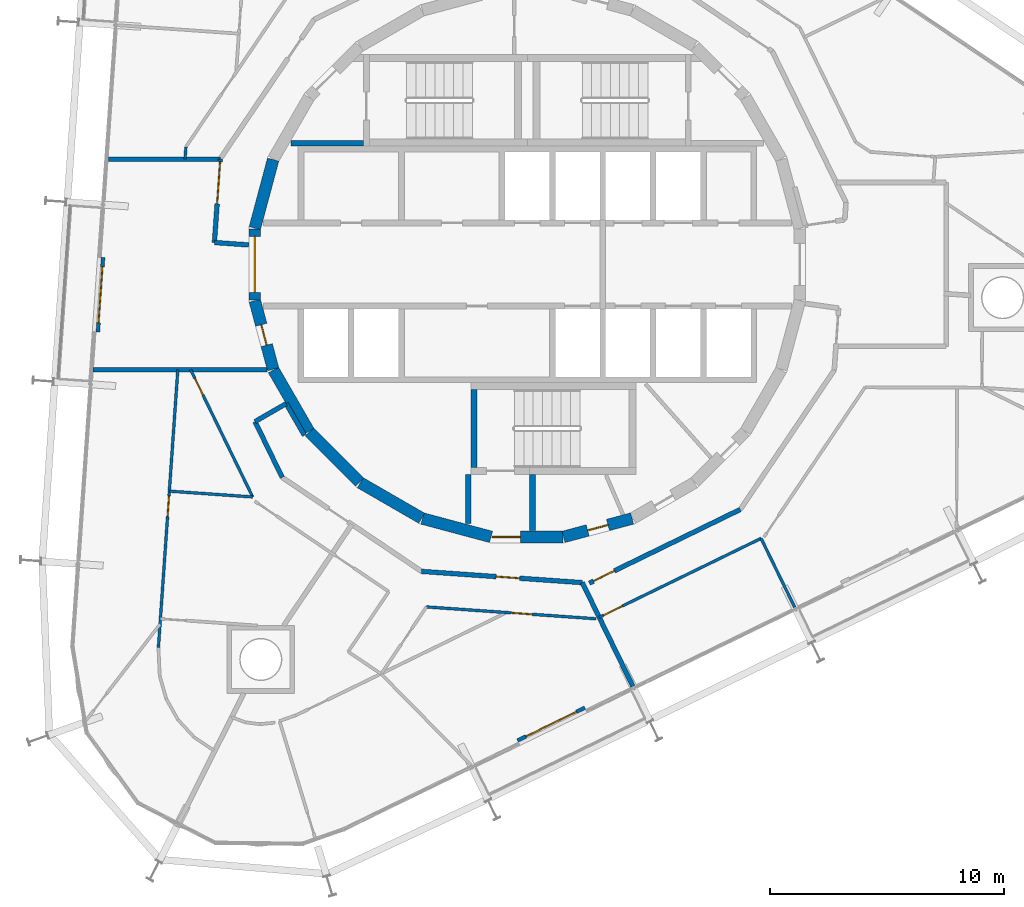
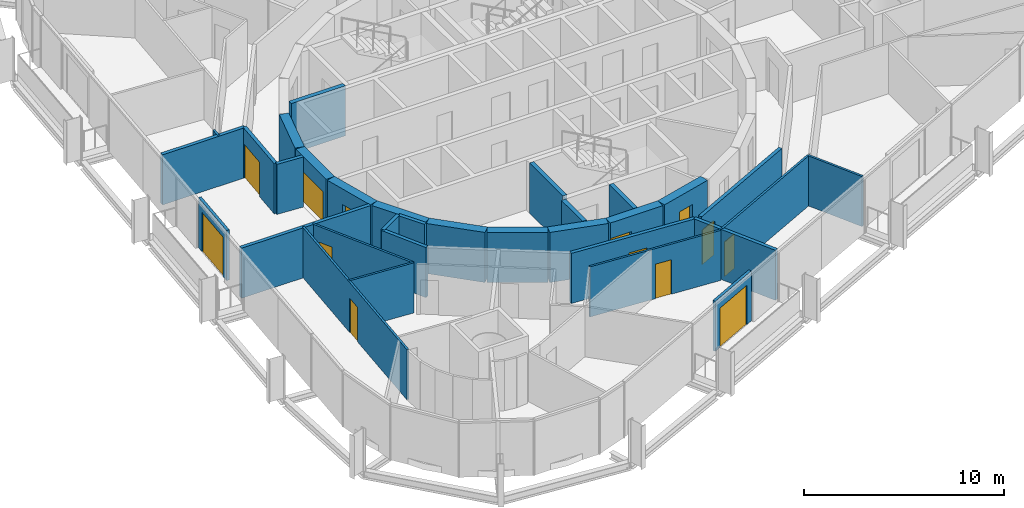
# One storey, part 12 of 17: 32 walls, 13 doors, 13 openings.
"""IFC4 building model written with IfcOpenShell, lengths in metres."""

from ifc_helpers import new_model, si_unit, direction, frame, frame_2d, origin, place, context, subcontext, project, spatial, rectangle, extrude, material, layer, layer_set, type_object, element, fill, save


model = new_model("IFC4")

# Units and contexts
model_context = context("Model", 3, precision=1e-05, world=origin(), true_north=direction((0.0, 1.0)))
body_context = subcontext(model_context, "Body", "Model", "MODEL_VIEW")
ifc_project = project(units=[si_unit("LENGTHUNIT", "METRE"), si_unit("AREAUNIT", "SQUARE_METRE"), si_unit("VOLUMEUNIT", "CUBIC_METRE"), si_unit("PLANEANGLEUNIT", "RADIAN"), si_unit("MASSUNIT", "GRAM", prefix="KILO")], contexts=[model_context])

# Site, building, storey
site_placement = place(None, origin())
site = spatial("IfcSite", under=ifc_project, at=site_placement, CompositionType="ELEMENT")
building_placement = place(site_placement, origin())
building = spatial("IfcBuilding", under=site, at=building_placement, Name="Spindle Arch Residences", CompositionType="ELEMENT")
storey_placement = place(building_placement, frame((0.0, 0.0, 216.39990234375)))
storey = spatial("IfcBuildingStorey", under=building, at=storey_placement, Name="L55", CompositionType="ELEMENT", Elevation=216.39990234375)

# Wall, opening, door
ifc_material_1 = material(Name="Concrete C50/60", Category="concrete")
ifc_layer_1 = layer(ifc_material_1, 0.5)
ifc_layer_set_1 = layer_set([ifc_layer_1], Name="Core outline wall 500")
wall_type_1 = type_object("IfcWallType", Name="Core outline wall 500", PredefinedType="SHEAR", material=ifc_layer_set_1)
wall_1_placement = place(storey_placement, frame((1.5498046875, -11.642822265625, 0.0), z_axis=(0.0, 0.0, 1.0), x_axis=(0.965948410781, 0.258734743916, 0.0)))
wall_1 = element("IfcWall", 1, at=wall_1_placement, inside=storey, type_object=wall_type_1, Name="Core outline wall 1", PredefinedType="SHEAR", context=body_context, shape_type="SweptSolid", body=[
    extrude(rectangle(XDim=3.03271484375, YDim=0.5, at=frame_2d((1.516357421875, 0.0))), origin(), (0.0, 0.0, 1.0), 3.050048828125),
])
opening_1_placement = place(wall_1_placement, frame((1.06640625, 0.0, 0.0)))
opening_1 = element("IfcOpeningElement", 2, at=opening_1_placement, cuts=wall_1, Name="Opening R5C0-WD07", PredefinedType="OPENING", context=body_context, shape_type="SweptSolid", body=[
    extrude(rectangle(XDim=0.89990234375, YDim=2.10009765625, at=frame_2d((0.449951171875, 1.050048828125))), frame((0.0, 0.260009765625, 0.0), z_axis=(0.0, -1.0, 0.0), x_axis=(1.0, 0.0, 0.0)), (0.0, 0.0, 1.0), 0.52001953125),
])
ifc_material_2 = material(Name="Steel, fire-resisting door", Category="steel")
door_type_1 = type_object("IfcDoorType", Name="Service room door 900x2100", OperationType="SINGLE_SWING_LEFT", PredefinedType="DOOR", material=ifc_material_2)
door_1_placement = place(opening_1_placement, origin())
door_1 = element("IfcDoor", 3, at=door_1_placement, inside=storey, type_object=door_type_1, Name="Service room door R5C0-WD07", OperationType="SINGLE_SWING_LEFT", OverallHeight=2.10009765625, OverallWidth=0.89990234375, PredefinedType="DOOR", context=body_context, shape_type="SweptSolid", body=[
    extrude(rectangle(XDim=0.89990234375, YDim=2.10009765625, at=frame_2d((0.449951171875, 1.050048828125))), frame((0.0, 0.02490234375, 0.0), z_axis=(0.0, -1.0, 0.0), x_axis=(1.0, 0.0, 0.0)), (0.0, 0.0, 1.0), 0.050048828125),
])
fill(opening_1, door_1)

# Wall
wall_2_placement = place(storey_placement, frame((-10.858154296875, 4.479248046875, 0.0), z_axis=(0.0, 0.0, 1.0), x_axis=(-0.258734743916, -0.965948410781, 0.0)))
element("IfcWall", 4, at=wall_2_placement, inside=storey, type_object=wall_type_1, Name="Core outline wall 17", PredefinedType="SHEAR", context=body_context, shape_type="SweptSolid", body=[
    extrude(rectangle(XDim=3.03271484375, YDim=0.5, at=frame_2d((1.516357421875, 0.0))), origin(), (0.0, 0.0, 1.0), 3.050048828125),
])

# Wall, opening, door
wall_3_placement = place(storey_placement, frame((-11.647216796875, 1.516357421875, 0.0), z_axis=(0.0, 0.0, 1.0), x_axis=(0.0, -1.0, 0.0)))
wall_3 = element("IfcWall", 5, at=wall_3_placement, inside=storey, type_object=wall_type_1, Name="Core outline wall 18", PredefinedType="SHEAR", context=body_context, shape_type="SweptSolid", body=[
    extrude(rectangle(XDim=3.03271484375, YDim=0.5, at=frame_2d((1.516357421875, 0.0))), origin(), (0.0, 0.0, 1.0), 3.050048828125),
])
opening_2_placement = place(wall_3_placement, frame((0.31640625, 0.0, 0.0)))
opening_2 = element("IfcOpeningElement", 6, at=opening_2_placement, cuts=wall_3, Name="Opening R5C0-LE01", PredefinedType="OPENING", context=body_context, shape_type="SweptSolid", body=[
    extrude(rectangle(XDim=2.39990234375, YDim=2.10009765625, at=frame_2d((1.199951171875, 1.050048828125))), frame((0.0, 0.260009765625, 0.0), z_axis=(0.0, -1.0, 0.0), x_axis=(1.0, 0.0, 0.0)), (0.0, 0.0, 1.0), 0.52001953125),
])
ifc_material_3 = material(Name="Steel, fire-resisting door", Category="steel")
door_type_2 = type_object("IfcDoorType", Name="Lift lobby entrance door 2400x2100", OperationType="DOUBLE_DOOR_SINGLE_SWING", PredefinedType="DOOR", material=ifc_material_3)
door_2_placement = place(opening_2_placement, origin())
door_2 = element("IfcDoor", 7, at=door_2_placement, inside=storey, type_object=door_type_2, Name="Lift lobby entrance door R5C0-LE01", OperationType="DOUBLE_DOOR_SINGLE_SWING", OverallHeight=2.10009765625, OverallWidth=2.39990234375, PredefinedType="DOOR", context=body_context, shape_type="SweptSolid", body=[
    extrude(rectangle(XDim=2.39990234375, YDim=2.10009765625, at=frame_2d((1.199951171875, 1.050048828125))), frame((0.0, 0.02490234375, 0.0), z_axis=(0.0, -1.0, 0.0), x_axis=(1.0, 0.0, 0.0)), (0.0, 0.0, 1.0), 0.050048828125),
])
fill(opening_2, door_2)

wall_4_placement = place(storey_placement, frame((-11.642822265625, -1.5498046875, 0.0), z_axis=(0.0, 0.0, 1.0), x_axis=(0.258734743916, -0.965948410781, 0.0)))
wall_4 = element("IfcWall", 8, at=wall_4_placement, inside=storey, type_object=wall_type_1, Name="Core outline wall 19", PredefinedType="SHEAR", context=body_context, shape_type="SweptSolid", body=[
    extrude(rectangle(XDim=3.03271484375, YDim=0.5, at=frame_2d((1.516357421875, 0.0))), origin(), (0.0, 0.0, 1.0), 3.050048828125),
])
opening_3_placement = place(wall_4_placement, frame((1.06640625, 0.0, 0.0)))
opening_3 = element("IfcOpeningElement", 9, at=opening_3_placement, cuts=wall_4, Name="Opening R5C0-WD09", PredefinedType="OPENING", context=body_context, shape_type="SweptSolid", body=[
    extrude(rectangle(XDim=0.89990234375, YDim=2.10009765625, at=frame_2d((0.449951171875, 1.050048828125))), frame((0.0, 0.260009765625, 0.0), z_axis=(0.0, -1.0, 0.0), x_axis=(1.0, 0.0, 0.0)), (0.0, 0.0, 1.0), 0.52001953125),
])
door_3_placement = place(opening_3_placement, origin())
door_3 = element("IfcDoor", 10, at=door_3_placement, inside=storey, type_object=door_type_1, Name="Service room door R5C0-WD09", OperationType="SINGLE_SWING_LEFT", OverallHeight=2.10009765625, OverallWidth=0.89990234375, PredefinedType="DOOR", context=body_context, shape_type="SweptSolid", body=[
    extrude(rectangle(XDim=0.89990234375, YDim=2.10009765625, at=frame_2d((0.449951171875, 1.050048828125))), frame((0.0, 0.02490234375, 0.0), z_axis=(0.0, -1.0, 0.0), x_axis=(1.0, 0.0, 0.0)), (0.0, 0.0, 1.0), 0.050048828125),
])
fill(opening_3, door_3)

# Walls
wall_5_placement = place(storey_placement, frame((-10.84521484375, -4.510498046875, 0.0), z_axis=(0.0, 0.0, 1.0), x_axis=(0.500087131594, -0.865975092491, 0.0)))
element("IfcWall", 11, at=wall_5_placement, inside=storey, type_object=wall_type_1, Name="Core outline wall 20", PredefinedType="SHEAR", context=body_context, shape_type="SweptSolid", body=[
    extrude(rectangle(XDim=3.03271484375, YDim=0.5, at=frame_2d((1.516357421875, 0.0))), origin(), (0.0, 0.0, 1.0), 3.050048828125),
])
wall_6_placement = place(storey_placement, frame((-9.30810546875, -7.163818359375, 0.0), z_axis=(0.0, 0.0, 1.0), x_axis=(0.707106781187, -0.707106781187, 0.0)))
element("IfcWall", 12, at=wall_6_placement, inside=storey, type_object=wall_type_1, Name="Core outline wall 21", PredefinedType="SHEAR", context=body_context, shape_type="SweptSolid", body=[
    extrude(rectangle(XDim=3.032470703125, YDim=0.5, at=frame_2d((1.51611328125, 0.0))), origin(), (0.0, 0.0, 1.0), 3.050048828125),
])
for number, where, z_axis, x_axis, name in (
    (13, (-7.13671875, -9.32861328125, 0.0), (0.0, 0.0, 1.0), (0.865975092491, -0.500087131594, 0.0), "Core outline wall 22"),
    (14, (-4.479248046875, -10.858154296875, 0.0), (0.0, 0.0, 1.0), (0.965948410781, -0.258734743916, 0.0), "Core outline wall 23"),
):
    element("IfcWall", number, at=place(storey_placement, frame(where, z_axis=z_axis, x_axis=x_axis)), inside=storey, type_object=wall_type_1, Name=name, PredefinedType="SHEAR", context=body_context, shape_type="SweptSolid", body=[
        extrude(rectangle(XDim=3.03271484375, YDim=0.5, at=frame_2d((1.516357421875, 0.0))), origin(), (0.0, 0.0, 1.0), 3.050048828125),
    ])

# Wall, opening, door
wall_7_placement = place(storey_placement, frame((-1.516357421875, -11.647216796875, 0.0), z_axis=(0.0, 0.0, 1.0), x_axis=(1.0, 0.0, 0.0)))
wall_7 = element("IfcWall", 15, at=wall_7_placement, inside=storey, type_object=wall_type_1, Name="Core outline wall 24", PredefinedType="SHEAR", context=body_context, shape_type="SweptSolid", body=[
    extrude(rectangle(XDim=3.03271484375, YDim=0.5, at=frame_2d((1.516357421875, 0.0))), origin(), (0.0, 0.0, 1.0), 3.050048828125),
])
opening_4_placement = place(wall_7_placement, frame((0.016357421875, 0.0, 0.0)))
opening_4 = element("IfcOpeningElement", 16, at=opening_4_placement, cuts=wall_7, Name="Opening R5C0-AD03", PredefinedType="OPENING", context=body_context, shape_type="SweptSolid", body=[
    extrude(rectangle(XDim=1.199951171875, YDim=2.10009765625, at=frame_2d((0.60009765625, 1.050048828125))), frame((0.0, 0.260009765625, 0.0), z_axis=(0.0, -1.0, 0.0), x_axis=(1.0, 0.0, 0.0)), (0.0, 0.0, 1.0), 0.52001953125),
])
ifc_material_4 = material(Name="Steel, fire-resisting door", Category="steel")
door_type_3 = type_object("IfcDoorType", Name="Stair airlock door 1200x2100", OperationType="SINGLE_SWING_LEFT", PredefinedType="DOOR", material=ifc_material_4)
door_4_placement = place(opening_4_placement, origin())
door_4 = element("IfcDoor", 17, at=door_4_placement, inside=storey, type_object=door_type_3, Name="Stair airlock door R5C0-AD03", OperationType="SINGLE_SWING_RIGHT", OverallHeight=2.10009765625, OverallWidth=1.199951171875, PredefinedType="DOOR", context=body_context, shape_type="SweptSolid", body=[
    extrude(rectangle(XDim=1.199951171875, YDim=2.10009765625, at=frame_2d((0.60009765625, 1.050048828125))), frame((0.0, 0.02490234375, 0.0), z_axis=(0.0, -1.0, 0.0), x_axis=(1.0, 0.0, 0.0)), (0.0, 0.0, 1.0), 0.050048828125),
])
fill(opening_4, door_4)

# Walls
ifc_material_5 = material(Name="Calcium silicate block, plastered")
ifc_layer_2 = layer(ifc_material_5, 0.199951171875)
ifc_layer_set_2 = layer_set([ifc_layer_2], Name="Corridor wall 200")
wall_type_2 = type_object("IfcWallType", Name="Corridor wall 200", PredefinedType="STANDARD", material=ifc_layer_set_2)
wall_8_placement = place(storey_placement, frame((-10.303466796875, -5.94873046875, 0.0), z_axis=(0.0, 0.0, 1.0), x_axis=(-0.866042588199, -0.499970234539, 0.0)))
element("IfcWall", 18, at=wall_8_placement, inside=storey, type_object=wall_type_2, Name="Corridor wall R5C0-W015", PredefinedType="STANDARD", context=body_context, shape_type="SweptSolid", body=[
    extrude(rectangle(XDim=1.53515625, YDim=0.199951171875, at=frame_2d((0.767578125, 0.0))), origin(), (0.0, 0.0, 1.0), 3.050048828125),
])
wall_9_placement = place(storey_placement, frame((-11.633056640625, -6.71630859375, 0.0), z_axis=(0.0, 0.0, 1.0), x_axis=(0.438322116278, -0.898817958422, 0.0)))
element("IfcWall", 19, at=wall_9_placement, inside=storey, type_object=wall_type_2, Name="Corridor wall R5C0-W016", PredefinedType="STANDARD", context=body_context, shape_type="SweptSolid", body=[
    extrude(rectangle(XDim=2.653564453125, YDim=0.199951171875, at=frame_2d((1.32666015625, 0.0))), origin(), (0.0, 0.0, 1.0), 3.050048828125),
])
wall_10_placement = place(storey_placement, frame((-9.520263671875, -7.30517578125, 0.0), z_axis=(0.0, 0.0, 1.0), x_axis=(-0.500028278809, 0.866009076391, 0.0)))
element("IfcWall", 20, at=wall_10_placement, inside=storey, type_object=wall_type_2, Name="Corridor wall R5C0-W018", PredefinedType="STANDARD", context=body_context, shape_type="SweptSolid", body=[
    extrude(rectangle(XDim=1.56640625, YDim=0.199951171875, at=frame_2d((0.783203125, 0.0))), origin(), (0.0, 0.0, 1.0), 3.050048828125),
])

# Wall, opening, door
wall_11_placement = place(storey_placement, frame((-4.5166015625, -13.116943359375, 0.0), z_axis=(0.0, 0.0, 1.0), x_axis=(0.997564669554, -0.069747616856, 0.0)))
wall_11 = element("IfcWall", 21, at=wall_11_placement, inside=storey, type_object=wall_type_2, Name="Corridor wall R5C0-W019", PredefinedType="STANDARD", context=body_context, shape_type="SweptSolid", body=[
    extrude(rectangle(XDim=6.88525390625, YDim=0.199951171875, at=frame_2d((3.442626953125, 0.0))), origin(), (0.0, 0.0, 1.0), 3.050048828125),
])
opening_5_placement = place(wall_11_placement, frame((3.199951171875, 0.0, 0.0)))
opening_5 = element("IfcOpeningElement", 22, at=opening_5_placement, cuts=wall_11, Name="Opening R5C0-FD05", PredefinedType="OPENING", context=body_context, shape_type="SweptSolid", body=[
    extrude(rectangle(XDim=1.0, YDim=2.10009765625, at=frame_2d((0.5, 1.050048828125))), frame((0.0, 0.10986328125, 0.0), z_axis=(0.0, -1.0, 0.0), x_axis=(1.0, 0.0, 0.0)), (0.0, 0.0, 1.0), 0.219970703125),
])
ifc_material_6 = material(Name="Timber, fire-resisting door set", Category="wood")
door_type_4 = type_object("IfcDoorType", Name="Flat entrance door 1000x2100", OperationType="NOTDEFINED", PredefinedType="DOOR", material=ifc_material_6)
door_5_placement = place(opening_5_placement, origin())
door_5 = element("IfcDoor", 23, at=door_5_placement, inside=storey, type_object=door_type_4, Name="Flat entrance door R5C0-FD05", OperationType="SINGLE_SWING_LEFT", OverallHeight=2.10009765625, OverallWidth=1.0, PredefinedType="DOOR", context=body_context, shape_type="SweptSolid", body=[
    extrude(rectangle(XDim=1.0, YDim=2.10009765625, at=frame_2d((0.5, 1.050048828125))), frame((0.0, 0.02490234375, 0.0), z_axis=(0.0, -1.0, 0.0), x_axis=(1.0, 0.0, 0.0)), (0.0, 0.0, 1.0), 0.050048828125),
])
fill(opening_5, door_5)

wall_12_placement = place(storey_placement, frame((2.64697265625, -13.617919921875, 0.0), z_axis=(0.0, 0.0, 1.0), x_axis=(0.898796543751, 0.438366026218, 0.0)))
wall_12 = element("IfcWall", 24, at=wall_12_placement, inside=storey, type_object=wall_type_2, Name="Corridor wall R5C0-W020", PredefinedType="STANDARD", context=body_context, shape_type="SweptSolid", body=[
    extrude(rectangle(XDim=7.18115234375, YDim=0.199951171875, at=frame_2d((3.590576171875, 0.0))), origin(), (0.0, 0.0, 1.0), 3.050048828125),
])
opening_6_placement = place(wall_12_placement, frame((0.199951171875, 0.0, 0.0)))
opening_6 = element("IfcOpeningElement", 25, at=opening_6_placement, cuts=wall_12, Name="Opening R5C0-FD06", PredefinedType="OPENING", context=body_context, shape_type="SweptSolid", body=[
    extrude(rectangle(XDim=1.0, YDim=2.10009765625, at=frame_2d((0.5, 1.050048828125))), frame((0.0, 0.10986328125, 0.0), z_axis=(0.0, -1.0, 0.0), x_axis=(1.0, 0.0, 0.0)), (0.0, 0.0, 1.0), 0.219970703125),
])
door_6_placement = place(opening_6_placement, origin())
door_6 = element("IfcDoor", 26, at=door_6_placement, inside=storey, type_object=door_type_4, Name="Flat entrance door R5C0-FD06", OperationType="SINGLE_SWING_LEFT", OverallHeight=2.10009765625, OverallWidth=1.0, PredefinedType="DOOR", context=body_context, shape_type="SweptSolid", body=[
    extrude(rectangle(XDim=1.0, YDim=2.10009765625, at=frame_2d((0.5, 1.050048828125))), frame((0.0, 0.02490234375, 0.0), z_axis=(0.0, -1.0, 0.0), x_axis=(1.0, 0.0, 0.0)), (0.0, 0.0, 1.0), 0.050048828125),
])
fill(opening_6, door_6)

# Wall
ifc_material_7 = material(Name="Plasterboard on steel studs", Category="steel")
ifc_layer_3 = layer(ifc_material_7, 0.1201171875)
ifc_layer_set_3 = layer_set([ifc_layer_3], Name="Flat partition 120")
wall_type_3 = type_object("IfcWallType", Name="Flat partition 120", PredefinedType="PARTITIONING", material=ifc_layer_set_3)
wall_13_placement = place(storey_placement, frame((-14.585205078125, 5.022216796875, 0.0), z_axis=(0.0, 0.0, 1.0), x_axis=(-0.069490327804, -0.997582625321, 0.0)))
element("IfcWall", 27, at=wall_13_placement, inside=storey, type_object=wall_type_3, Name="Flat partition R5C0-W060", PredefinedType="PARTITIONING", context=body_context, shape_type="SweptSolid", body=[
    extrude(rectangle(XDim=0.5234375, YDim=0.1201171875, at=frame_2d((0.26171875, 0.0))), origin(), (0.0, 0.0, 1.0), 3.050048828125),
])

# Wall, opening, door
wall_14_placement = place(storey_placement, frame((-14.383056640625, -4.5, 0.0), z_axis=(0.0, 0.0, 1.0), x_axis=(0.438393414895, -0.898783185077, 0.0)))
wall_14 = element("IfcWall", 28, at=wall_14_placement, inside=storey, type_object=wall_type_3, Name="Flat partition R5C0-W070", PredefinedType="PARTITIONING", context=body_context, shape_type="SweptSolid", body=[
    extrude(rectangle(XDim=6.049072265625, YDim=0.1201171875, at=frame_2d((3.0244140625, 0.0))), origin(), (0.0, 0.0, 1.0), 3.050048828125),
])
opening_7_placement = place(wall_14_placement, frame((0.39990234375, 0.0, 0.0)))
opening_7 = element("IfcOpeningElement", 29, at=opening_7_placement, cuts=wall_14, Name="Opening R5C0-BD04", PredefinedType="OPENING", context=body_context, shape_type="SweptSolid", body=[
    extrude(rectangle(XDim=0.800048828125, YDim=2.10009765625, at=frame_2d((0.39990234375, 1.050048828125))), frame((0.0, 0.070068359375, 0.0), z_axis=(0.0, -1.0, 0.0), x_axis=(1.0, 0.0, 0.0)), (0.0, 0.0, 1.0), 0.14013671875),
])
ifc_material_8 = material(Name="Timber door set", Category="wood")
door_type_5 = type_object("IfcDoorType", Name="Bathroom door 800x2100", OperationType="NOTDEFINED", PredefinedType="DOOR", material=ifc_material_8)
door_7_placement = place(opening_7_placement, origin())
door_7 = element("IfcDoor", 30, at=door_7_placement, inside=storey, type_object=door_type_5, Name="Bathroom door R5C0-BD04", OperationType="SINGLE_SWING_RIGHT", OverallHeight=2.10009765625, OverallWidth=0.800048828125, PredefinedType="DOOR", context=body_context, shape_type="SweptSolid", body=[
    extrude(rectangle(XDim=0.800048828125, YDim=2.10009765625, at=frame_2d((0.39990234375, 1.050048828125))), frame((0.0, 0.02490234375, 0.0), z_axis=(0.0, -1.0, 0.0), x_axis=(1.0, 0.0, 0.0)), (0.0, 0.0, 1.0), 0.050048828125),
])
fill(opening_7, door_7)

wall_15_placement = place(storey_placement, frame((-14.930908203125, -4.5, 0.0), z_axis=(0.0, 0.0, 1.0), x_axis=(-0.069751708439, -0.997564383471, 0.0)))
wall_15 = element("IfcWall", 31, at=wall_15_placement, inside=storey, type_object=wall_type_3, Name="Flat partition R5C0-W072", PredefinedType="PARTITIONING", context=body_context, shape_type="SweptSolid", body=[
    extrude(rectangle(XDim=11.8935546875, YDim=0.1201171875, at=frame_2d((5.94677734375, 0.0))), origin(), (0.0, 0.0, 1.0), 3.050048828125),
])
opening_8_placement = place(wall_15_placement, frame((5.400390625, 0.0, 0.0)))
opening_8 = element("IfcOpeningElement", 32, at=opening_8_placement, cuts=wall_15, Name="Opening R5C0-ID15", PredefinedType="OPENING", context=body_context, shape_type="SweptSolid", body=[
    extrude(rectangle(XDim=0.89990234375, YDim=2.10009765625, at=frame_2d((0.449951171875, 1.050048828125))), frame((0.0, 0.070068359375, 0.0), z_axis=(0.0, -1.0, 0.0), x_axis=(1.0, 0.0, 0.0)), (0.0, 0.0, 1.0), 0.14013671875),
])
ifc_material_9 = material(Name="Timber door set", Category="wood")
door_type_6 = type_object("IfcDoorType", Name="Room door 900x2100", OperationType="NOTDEFINED", PredefinedType="DOOR", material=ifc_material_9)
door_8_placement = place(opening_8_placement, origin())
door_8 = element("IfcDoor", 33, at=door_8_placement, inside=storey, type_object=door_type_6, Name="Room door R5C0-ID15", OperationType="SINGLE_SWING_RIGHT", OverallHeight=2.10009765625, OverallWidth=0.89990234375, PredefinedType="DOOR", context=body_context, shape_type="SweptSolid", body=[
    extrude(rectangle(XDim=0.89990234375, YDim=2.10009765625, at=frame_2d((0.449951171875, 1.050048828125))), frame((0.0, 0.02490234375, 0.0), z_axis=(0.0, -1.0, 0.0), x_axis=(1.0, 0.0, 0.0)), (0.0, 0.0, 1.0), 0.050048828125),
])
fill(opening_8, door_8)

# Wall
wall_16_placement = place(storey_placement, frame((-15.293701171875, -9.687744140625, 0.0), z_axis=(0.0, 0.0, 1.0), x_axis=(0.997565819809, -0.069731163391, 0.0)))
element("IfcWall", 34, at=wall_16_placement, inside=storey, type_object=wall_type_3, Name="Flat partition R5C0-W073", PredefinedType="PARTITIONING", context=body_context, shape_type="SweptSolid", body=[
    extrude(rectangle(XDim=3.5712890625, YDim=0.1201171875, at=frame_2d((1.78564453125, 0.0))), origin(), (0.0, 0.0, 1.0), 3.050048828125),
])

# Wall, opening, door
wall_17_placement = place(storey_placement, frame((-4.309326171875, -14.635009765625, 0.0), z_axis=(0.0, 0.0, 1.0), x_axis=(0.997564788147, -0.069745920658, 0.0)))
wall_17 = element("IfcWall", 35, at=wall_17_placement, inside=storey, type_object=wall_type_3, Name="Flat partition R5C0-W084", PredefinedType="PARTITIONING", context=body_context, shape_type="SweptSolid", body=[
    extrude(rectangle(XDim=7.2705078125, YDim=0.1201171875, at=frame_2d((3.63525390625, 0.0))), origin(), (0.0, 0.0, 1.0), 3.050048828125),
])
opening_9_placement = place(wall_17_placement, frame((3.632080078125, 0.0, 0.0)))
opening_9 = element("IfcOpeningElement", 36, at=opening_9_placement, cuts=wall_17, Name="Opening R5C0-ID19", PredefinedType="OPENING", context=body_context, shape_type="SweptSolid", body=[
    extrude(rectangle(XDim=0.89990234375, YDim=2.10009765625, at=frame_2d((0.449951171875, 1.050048828125))), frame((0.0, 0.070068359375, 0.0), z_axis=(0.0, -1.0, 0.0), x_axis=(1.0, 0.0, 0.0)), (0.0, 0.0, 1.0), 0.14013671875),
])
door_9_placement = place(opening_9_placement, origin())
door_9 = element("IfcDoor", 37, at=door_9_placement, inside=storey, type_object=door_type_6, Name="Room door R5C0-ID19", OperationType="SINGLE_SWING_LEFT", OverallHeight=2.10009765625, OverallWidth=0.89990234375, PredefinedType="DOOR", context=body_context, shape_type="SweptSolid", body=[
    extrude(rectangle(XDim=0.89990234375, YDim=2.10009765625, at=frame_2d((0.449951171875, 1.050048828125))), frame((0.0, 0.02490234375, 0.0), z_axis=(0.0, -1.0, 0.0), x_axis=(1.0, 0.0, 0.0)), (0.0, 0.0, 1.0), 0.050048828125),
])
fill(opening_9, door_9)

wall_18_placement = place(storey_placement, frame((3.07421875, -15.078369140625, 0.0), z_axis=(0.0, 0.0, 1.0), x_axis=(0.898800770739, 0.438357359377, 0.0)))
wall_18 = element("IfcWall", 38, at=wall_18_placement, inside=storey, type_object=wall_type_3, Name="Flat partition R5C0-W092", PredefinedType="PARTITIONING", context=body_context, shape_type="SweptSolid", body=[
    extrude(rectangle(XDim=7.693603515625, YDim=0.1201171875, at=frame_2d((3.8466796875, 0.0))), origin(), (0.0, 0.0, 1.0), 3.050048828125),
])
opening_10_placement = place(wall_18_placement, frame((0.199951171875, 0.0, 0.0)))
opening_10 = element("IfcOpeningElement", 39, at=opening_10_placement, cuts=wall_18, Name="Opening R5C0-ID22", PredefinedType="OPENING", context=body_context, shape_type="SweptSolid", body=[
    extrude(rectangle(XDim=0.89990234375, YDim=2.10009765625, at=frame_2d((0.449951171875, 1.050048828125))), frame((0.0, 0.070068359375, 0.0), z_axis=(0.0, -1.0, 0.0), x_axis=(1.0, 0.0, 0.0)), (0.0, 0.0, 1.0), 0.14013671875),
])
door_10_placement = place(opening_10_placement, origin())
door_10 = element("IfcDoor", 40, at=door_10_placement, inside=storey, type_object=door_type_6, Name="Room door R5C0-ID22", OperationType="SINGLE_SWING_LEFT", OverallHeight=2.10009765625, OverallWidth=0.89990234375, PredefinedType="DOOR", context=body_context, shape_type="SweptSolid", body=[
    extrude(rectangle(XDim=0.89990234375, YDim=2.10009765625, at=frame_2d((0.449951171875, 1.050048828125))), frame((0.0, 0.02490234375, 0.0), z_axis=(0.0, -1.0, 0.0), x_axis=(1.0, 0.0, 0.0)), (0.0, 0.0, 1.0), 0.050048828125),
])
fill(opening_10, door_10)

# Walls
wall_19_placement = place(storey_placement, frame((11.427490234375, -14.654296875, 0.0), z_axis=(0.0, 0.0, 1.0), x_axis=(-0.438410435857, 0.898774882677, 0.0)))
element("IfcWall", 41, at=wall_19_placement, inside=storey, type_object=wall_type_3, Name="Flat partition R5C0-W096", PredefinedType="PARTITIONING", context=body_context, shape_type="SweptSolid", body=[
    extrude(rectangle(XDim=3.280517578125, YDim=0.1201171875, at=frame_2d((1.64013671875, 0.0))), origin(), (0.0, 0.0, 1.0), 3.050048828125),
])
ifc_material_10 = material(Name="Calcium silicate block, plastered")
ifc_layer_4 = layer(ifc_material_10, 0.199951171875)
ifc_layer_set_4 = layer_set([ifc_layer_4], Name="Flat party wall 200")
wall_type_4 = type_object("IfcWallType", Name="Flat party wall 200", PredefinedType="STANDARD", material=ifc_layer_set_4)
wall_20_placement = place(storey_placement, frame((4.512451171875, -18.027099609375, 0.0), z_axis=(0.0, 0.0, 1.0), x_axis=(-0.438374835386, 0.898792247241, 0.0)))
element("IfcWall", 42, at=wall_20_placement, inside=storey, type_object=wall_type_4, Name="Flat party wall R5C0-W036", PredefinedType="STANDARD", context=body_context, shape_type="SweptSolid", body=[
    extrude(rectangle(XDim=4.9287109375, YDim=0.199951171875, at=frame_2d((2.46435546875, 0.0))), origin(), (0.0, 0.0, 1.0), 3.050048828125),
])

# Wall, opening, door
ifc_material_11 = material(Name="Non-combustible mineral wool insulated aluminium faced external wall (K0)", Category="aluminium")
ifc_layer_5 = layer(ifc_material_11, 0.159912109375)
ifc_layer_set_5 = layer_set([ifc_layer_5], Name="Insulated external wall panel 160")
wall_type_5 = type_object("IfcWallType", Name="Insulated external wall panel 160", PredefinedType="STANDARD", material=ifc_layer_set_5)
wall_21_placement = place(storey_placement, frame((-18.1240234375, 0.300537109375, 0.0), z_axis=(0.0, 0.0, 1.0), x_axis=(-0.069728915792, -0.997565976917, 0.0)))
wall_21 = element("IfcWall", 43, at=wall_21_placement, inside=storey, type_object=wall_type_5, Name="External wall L55 bay 15", PredefinedType="STANDARD", context=body_context, shape_type="SweptSolid", body=[
    extrude(rectangle(XDim=3.2001953125, YDim=0.159912109375, at=frame_2d((1.60009765625, 0.0))), origin(), (0.0, 0.0, 1.0), 3.050048828125),
])
opening_11_placement = place(wall_21_placement, frame((0.39990234375, 0.0, 0.0)))
opening_11 = element("IfcOpeningElement", 44, at=opening_11_placement, cuts=wall_21, Name="Opening BD15", PredefinedType="OPENING", context=body_context, shape_type="SweptSolid", body=[
    extrude(rectangle(XDim=2.39990234375, YDim=2.39990234375, at=frame_2d((1.199951171875, 1.199951171875))), frame((0.0, 0.08984375, 0.0), z_axis=(0.0, -1.0, 0.0), x_axis=(1.0, 0.0, 0.0)), (0.0, 0.0, 1.0), 0.179931640625),
])
ifc_material_12 = material(Name="Bronze aluminium frame, tinted double glazing", Category="aluminium")
door_type_7 = type_object("IfcDoorType", Name="Sliding glazed balcony door 2400x2400", OperationType="DOUBLE_DOOR_SLIDING", PredefinedType="DOOR", material=ifc_material_12)
door_11_placement = place(opening_11_placement, origin())
door_11 = element("IfcDoor", 45, at=door_11_placement, inside=storey, type_object=door_type_7, Name="Balcony door BD15", OperationType="DOUBLE_DOOR_SLIDING", OverallHeight=2.39990234375, OverallWidth=2.39990234375, PredefinedType="DOOR", context=body_context, shape_type="SweptSolid", body=[
    extrude(rectangle(XDim=2.39990234375, YDim=2.39990234375, at=frame_2d((1.199951171875, 1.199951171875))), frame((0.0, 0.02490234375, 0.0), z_axis=(0.0, -1.0, 0.0), x_axis=(1.0, 0.0, 0.0)), (0.0, 0.0, 1.0), 0.050048828125),
])
fill(opening_11, door_11)

wall_22_placement = place(storey_placement, frame((-0.418212890625, -20.343017578125, 0.0), z_axis=(0.0, 0.0, 1.0), x_axis=(0.898778711213, 0.43840258698, 0.0)))
wall_22 = element("IfcWall", 46, at=wall_22_placement, inside=storey, type_object=wall_type_5, Name="External wall L55 bay 21", PredefinedType="STANDARD", context=body_context, shape_type="SweptSolid", body=[
    extrude(rectangle(XDim=3.199951171875, YDim=0.159912109375, at=frame_2d((1.60009765625, 0.0))), origin(), (0.0, 0.0, 1.0), 3.050048828125),
])
opening_12_placement = place(wall_22_placement, frame((0.39990234375, 0.0, 0.0)))
opening_12 = element("IfcOpeningElement", 47, at=opening_12_placement, cuts=wall_22, Name="Opening BD21", PredefinedType="OPENING", context=body_context, shape_type="SweptSolid", body=[
    extrude(rectangle(XDim=2.39990234375, YDim=2.39990234375, at=frame_2d((1.199951171875, 1.199951171875))), frame((0.0, 0.08984375, 0.0), z_axis=(0.0, -1.0, 0.0), x_axis=(1.0, 0.0, 0.0)), (0.0, 0.0, 1.0), 0.179931640625),
])
door_12_placement = place(opening_12_placement, origin())
door_12 = element("IfcDoor", 48, at=door_12_placement, inside=storey, type_object=door_type_7, Name="Balcony door BD21", OperationType="DOUBLE_DOOR_SLIDING", OverallHeight=2.39990234375, OverallWidth=2.39990234375, PredefinedType="DOOR", context=body_context, shape_type="SweptSolid", body=[
    extrude(rectangle(XDim=2.39990234375, YDim=2.39990234375, at=frame_2d((1.199951171875, 1.199951171875))), frame((0.0, 0.02490234375, 0.0), z_axis=(0.0, -1.0, 0.0), x_axis=(1.0, 0.0, 0.0)), (0.0, 0.0, 1.0), 0.050048828125),
])
fill(opening_12, door_12)

ifc_material_13 = material(Name="Calcium silicate block, plastered")
ifc_layer_6 = layer(ifc_material_13, 0.199951171875)
ifc_layer_set_6 = layer_set([ifc_layer_6], Name="Lift lobby bay wall 200")
wall_type_6 = type_object("IfcWallType", Name="Lift lobby bay wall 200", PredefinedType="STANDARD", material=ifc_layer_set_6)
wall_23_placement = place(storey_placement, frame((-13.1181640625, 4.5, 0.0), z_axis=(0.0, 0.0, 1.0), x_axis=(-0.069746872611, -0.99756472159, 0.0)))
wall_23 = element("IfcWall", 49, at=wall_23_placement, inside=storey, type_object=wall_type_6, Name="Lift lobby bay wall R5C0-W008", PredefinedType="STANDARD", context=body_context, shape_type="SweptSolid", body=[
    extrude(rectangle(XDim=3.573974609375, YDim=0.199951171875, at=frame_2d((1.787109375, 0.0))), origin(), (0.0, 0.0, 1.0), 3.050048828125),
])
opening_13_placement = place(wall_23_placement, frame((0.114990234375, 0.0, 0.0)))
opening_13 = element("IfcOpeningElement", 50, at=opening_13_placement, cuts=wall_23, Name="Opening R5C0-LB01", PredefinedType="OPENING", context=body_context, shape_type="SweptSolid", body=[
    extrude(rectangle(XDim=1.800048828125, YDim=2.10009765625, at=frame_2d((0.89990234375, 1.050048828125))), frame((0.0, 0.10986328125, 0.0), z_axis=(0.0, -1.0, 0.0), x_axis=(1.0, 0.0, 0.0)), (0.0, 0.0, 1.0), 0.219970703125),
])
ifc_material_14 = material(Name="Steel, fire-resisting door", Category="steel")
door_type_8 = type_object("IfcDoorType", Name="Lift lobby bay door 1800x2100", OperationType="NOTDEFINED", PredefinedType="DOOR", material=ifc_material_14)
door_13_placement = place(opening_13_placement, origin())
door_13 = element("IfcDoor", 51, at=door_13_placement, inside=storey, type_object=door_type_8, Name="Lift lobby bay door R5C0-LB01", OperationType="DOUBLE_DOOR_SINGLE_SWING", OverallHeight=2.10009765625, OverallWidth=1.800048828125, PredefinedType="DOOR", context=body_context, shape_type="SweptSolid", body=[
    extrude(rectangle(XDim=1.800048828125, YDim=2.10009765625, at=frame_2d((0.89990234375, 1.050048828125))), frame((0.0, 0.02490234375, 0.0), z_axis=(0.0, -1.0, 0.0), x_axis=(1.0, 0.0, 0.0)), (0.0, 0.0, 1.0), 0.050048828125),
])
fill(opening_13, door_13)

# Walls
wall_24_placement = place(storey_placement, frame((-13.367431640625, 0.934814453125, 0.0), z_axis=(0.0, 0.0, 1.0), x_axis=(0.997553656289, -0.069904955655, 0.0)))
element("IfcWall", 52, at=wall_24_placement, inside=storey, type_object=wall_type_6, Name="Lift lobby bay wall R5C0-W009", PredefinedType="STANDARD", context=body_context, shape_type="SweptSolid", body=[
    extrude(rectangle(XDim=1.473876953125, YDim=0.199951171875, at=frame_2d((0.73681640625, 0.0))), origin(), (0.0, 0.0, 1.0), 3.050048828125),
])
wall_25_placement = place(storey_placement, frame((-13.1181640625, 4.5, 0.0), z_axis=(0.0, 0.0, 1.0), x_axis=(-1.0, 0.0, 0.0)))
element("IfcWall", 53, at=wall_25_placement, inside=storey, type_object=wall_type_6, Name="Lift lobby bay wall R5C0-W022", PredefinedType="STANDARD", context=body_context, shape_type="SweptSolid", body=[
    extrude(rectangle(XDim=4.78173828125, YDim=0.199951171875, at=frame_2d((2.390869140625, 0.0))), origin(), (0.0, 0.0, 1.0), 3.050048828125),
])
wall_26_placement = place(storey_placement, frame((-18.5498046875, -4.5, 0.0), z_axis=(0.0, 0.0, 1.0), x_axis=(1.0, 0.0, 0.0)))
element("IfcWall", 54, at=wall_26_placement, inside=storey, type_object=wall_type_6, Name="Lift lobby bay wall R5C0-W023", PredefinedType="STANDARD", context=body_context, shape_type="SweptSolid", body=[
    extrude(rectangle(XDim=7.4384765625, YDim=0.199951171875, at=frame_2d((3.71923828125, 0.0))), origin(), (0.0, 0.0, 1.0), 3.050048828125),
])
ifc_material_15 = material(Name="Concrete C40/50", Category="concrete")
ifc_layer_7 = layer(ifc_material_15, 0.25)
ifc_layer_set_7 = layer_set([ifc_layer_7], Name="Stair airlock wall 250")
wall_type_7 = type_object("IfcWallType", Name="Stair airlock wall 250", PredefinedType="SHEAR", material=ifc_layer_set_7)
wall_27_placement = place(storey_placement, frame((-7.0, 5.175048828125, 0.0), z_axis=(0.0, 0.0, 1.0), x_axis=(-1.0, 0.0, 0.0)))
element("IfcWall", 55, at=wall_27_placement, inside=storey, type_object=wall_type_7, Name="Stair ST-2 airlock wall S", PredefinedType="SHEAR", context=body_context, shape_type="SweptSolid", body=[
    extrude(rectangle(XDim=3.10009765625, YDim=0.25, at=frame_2d((1.550048828125, 0.0))), origin(), (0.0, 0.0, 1.0), 3.050048828125),
])
wall_28_placement = place(storey_placement, frame((-2.52490234375, -8.969970703125, 0.0), z_axis=(0.0, 0.0, 1.0), x_axis=(0.0, -1.0, 0.0)))
element("IfcWall", 56, at=wall_28_placement, inside=storey, type_object=wall_type_7, Name="Stair ST-3 airlock wall W", PredefinedType="SHEAR", context=body_context, shape_type="SweptSolid", body=[
    extrude(rectangle(XDim=2.110107421875, YDim=0.25, at=frame_2d((1.05517578125, 0.0))), origin(), (0.0, 0.0, 1.0), 3.050048828125),
])
wall_29_placement = place(storey_placement, frame((0.22509765625, -8.969970703125, 0.0), z_axis=(0.0, 0.0, 1.0), x_axis=(0.0, -1.0, 0.0)))
element("IfcWall", 57, at=wall_29_placement, inside=storey, type_object=wall_type_7, Name="Stair ST-3 airlock wall E", PredefinedType="SHEAR", context=body_context, shape_type="SweptSolid", body=[
    extrude(rectangle(XDim=2.409912109375, YDim=0.25, at=frame_2d((1.205078125, 0.0))), origin(), (0.0, 0.0, 1.0), 3.050048828125),
])
ifc_material_16 = material(Name="Concrete C50/60", Category="concrete")
ifc_layer_8 = layer(ifc_material_16, 0.25)
ifc_layer_set_8 = layer_set([ifc_layer_8], Name="Stair enclosure wall 250")
wall_type_8 = type_object("IfcWallType", Name="Stair enclosure wall 250", PredefinedType="SHEAR", material=ifc_layer_set_8)
wall_30_placement = place(storey_placement, frame((-2.27490234375, -8.669921875, 0.0), z_axis=(0.0, 0.0, 1.0), x_axis=(0.0, 1.0, 0.0)))
element("IfcWall", 58, at=wall_30_placement, inside=storey, type_object=wall_type_8, Name="Stair ST-3 enclosure wall W", PredefinedType="SHEAR", context=body_context, shape_type="SweptSolid", body=[
    extrude(rectangle(XDim=3.31982421875, YDim=0.25, at=frame_2d((1.659912109375, 0.0))), origin(), (0.0, 0.0, 1.0), 3.050048828125),
])

save(model, "model.ifc")
